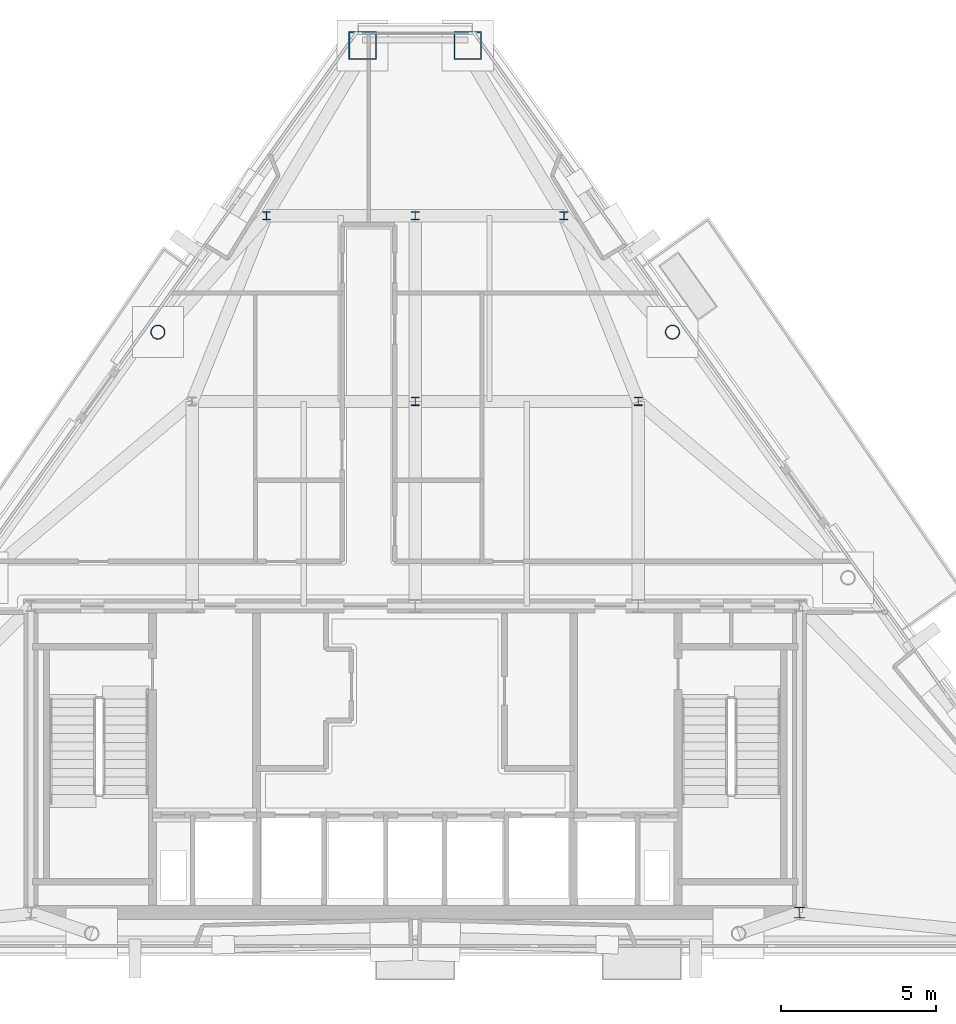
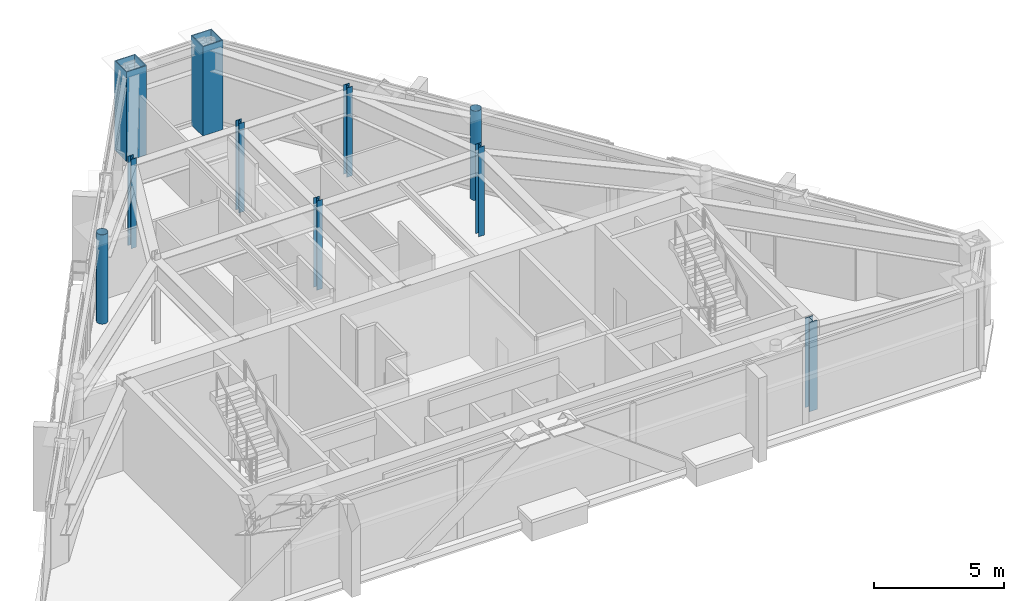
# One storey, part 2 of 10: 10 columns.
"""IFC4 building model written with IfcOpenShell, lengths in metres."""

from ifc_helpers import new_model, si_unit, direction, frame, origin, origin_2d, place, context, subcontext, project, spatial, hollow_rectangle, hollow_circle, i_section, extrude, material, material_profile, profile_set, type_object, element, save


model = new_model("IFC4")

# Units and contexts
model_context = context("Model", 3, precision=1e-05, world=origin(), true_north=direction((0.0, 1.0)))
body_context = subcontext(model_context, "Body", "Model", "MODEL_VIEW")
ifc_project = project(units=[si_unit("LENGTHUNIT", "METRE"), si_unit("AREAUNIT", "SQUARE_METRE"), si_unit("VOLUMEUNIT", "CUBIC_METRE"), si_unit("PLANEANGLEUNIT", "RADIAN"), si_unit("MASSUNIT", "GRAM", prefix="KILO")], contexts=[model_context])

# Site, building, storey
site_placement = place(None, origin())
site = spatial("IfcSite", under=ifc_project, at=site_placement, CompositionType="ELEMENT")
building_placement = place(site_placement, origin())
building = spatial("IfcBuilding", under=site, at=building_placement, Name="Talgorran Terracotta Tower", CompositionType="ELEMENT")
storey_placement = place(building_placement, frame((0.0, 0.0, 289.199951171875)))
storey = spatial("IfcBuildingStorey", under=building, at=storey_placement, Name="L76", CompositionType="ELEMENT", Elevation=289.199951171875)

# Columns
ifc_material_1 = material(Name="Steel S355 (300PLUS)", Category="steel")
ifc_material_profile_1 = material_profile(ifc_material_1, i_section(OverallWidth=0.256103515625, OverallDepth=0.260009765625, WebThickness=0.010498046875, FlangeThickness=0.017333984375, at=origin_2d()), Name="250UC89.5")
ifc_profile_set_1 = profile_set([ifc_material_profile_1], Name="Steel S355 (300PLUS)")
column_type_1 = type_object("IfcColumnType", Name="COL_250UC89", PredefinedType="COLUMN", material=ifc_profile_set_1)
for number, where, z_axis, x_axis, name in (
    (1, (0.0, 2.39990234375, 0.0), (0.0, 0.0, 1.0), (1.0, 0.0, 0.0), "L76 Interior Gravity Column IC2"),
    (2, (7.199951171875, 2.39990234375, 0.0), (0.0, 0.0, 1.0), (1.0, 0.0, 0.0), "L76 Interior Gravity Column IC3"),
    (3, (-4.800048828125, 8.39990234375, 0.0), (0.0, 0.0, 1.0), (1.0, 0.0, 0.0), "L76 Interior Gravity Column IC4"),
    (4, (0.0, 8.39990234375, 0.0), (0.0, 0.0, 1.0), (1.0, 0.0, 0.0), "L76 Interior Gravity Column IC5"),
    (5, (4.800048828125, 8.39990234375, 0.0), (0.0, 0.0, 1.0), (1.0, 0.0, 0.0), "L76 Interior Gravity Column IC6"),
):
    element("IfcColumn", number, at=place(storey_placement, frame(where, z_axis=z_axis, x_axis=x_axis)), inside=storey, type_object=column_type_1, Name=name, PredefinedType="COLUMN", context=body_context, shape_type="SweptSolid", body=[
        extrude(i_section(OverallWidth=0.256103515625, OverallDepth=0.260009765625, WebThickness=0.010498046875, FlangeThickness=0.017333984375, at=origin_2d()), origin(), (0.0, 0.0, 1.0), 4.199951171875),
    ])
ifc_material_profile_2 = material_profile(ifc_material_1, i_section(OverallWidth=0.35205078125, OverallDepth=0.35888671875, WebThickness=0.01806640625, FlangeThickness=0.02587890625, at=origin_2d()), Name="350WC197")
ifc_profile_set_2 = profile_set([ifc_material_profile_2], Name="Steel S355 (300PLUS)")
column_type_2 = type_object("IfcColumnType", Name="COL_350WC197", PredefinedType="COLUMN", material=ifc_profile_set_2)
column_placement = place(storey_placement, frame((12.39990234375, -14.10009765625, 0.0), z_axis=(0.0, 0.0, 1.0), x_axis=(1.0, 0.0, 0.0)))
element("IfcColumn", 6, at=column_placement, inside=storey, type_object=column_type_2, Name="L76 Core Boundary Column CC2", PredefinedType="COLUMN", context=body_context, shape_type="SweptSolid", body=[
    extrude(i_section(OverallWidth=0.35205078125, OverallDepth=0.35888671875, WebThickness=0.01806640625, FlangeThickness=0.02587890625, at=origin_2d()), origin(), (0.0, 0.0, 1.0), 4.199951171875),
])
ifc_material_2 = material(Name="Steel Grade 350 (350L0)", Category="steel")
ifc_material_profile_3 = material_profile(ifc_material_2, hollow_rectangle(XDim=0.89990234375, YDim=0.89990234375, WallThickness=0.0400390625, at=origin_2d()), Name="CFT900X900X40")
ifc_profile_set_3 = profile_set([ifc_material_profile_3], Name="Steel Grade 350 (350L0)")
column_type_3 = type_object("IfcColumnType", Name="COL_CFT_900", PredefinedType="COLUMN", material=ifc_profile_set_3)
for number, where, z_axis, x_axis, name in (
    (7, (1.697998046875, 13.889404296875, 0.0), (0.0, 0.0, 1.0), (1.0, 0.0, 0.0), "L76 Corner CFT Mega-Column MC5"),
    (8, (-1.697998046875, 13.889404296875, 0.0), (0.0, 0.0, 1.0), (1.0, 0.0, 0.0), "L76 Corner CFT Mega-Column MC6"),
):
    element("IfcColumn", number, at=place(storey_placement, frame(where, z_axis=z_axis, x_axis=x_axis)), inside=storey, type_object=column_type_3, Name=name, PredefinedType="COLUMN", context=body_context, shape_type="SweptSolid", body=[
        extrude(hollow_rectangle(XDim=0.89990234375, YDim=0.89990234375, WallThickness=0.0400390625, at=origin_2d()), origin(), (0.0, 0.0, 1.0), 4.199951171875),
    ])
ifc_material_3 = material(Name="Steel S350 (C350L0)", Category="steel")
ifc_material_profile_4 = material_profile(ifc_material_3, hollow_circle(Radius=0.228515625, WallThickness=0.01611328125, at=origin_2d()), Name="CHS457X16")
ifc_profile_set_4 = profile_set([ifc_material_profile_4], Name="Steel S350 (C350L0)")
column_type_4 = type_object("IfcColumnType", Name="COL_CHS_457", PredefinedType="COLUMN", material=ifc_profile_set_4)
for number, where, z_axis, x_axis, name in (
    (9, (8.30615234375, 4.63818359375, 0.0), (0.0, 0.0, 1.0), (1.0, 0.0, 0.0), "L76 Facet Perimeter Column FC4"),
    (10, (-8.30615234375, 4.63818359375, 0.0), (0.0, 0.0, 1.0), (1.0, 0.0, 0.0), "L76 Facet Perimeter Column FC5"),
):
    element("IfcColumn", number, at=place(storey_placement, frame(where, z_axis=z_axis, x_axis=x_axis)), inside=storey, type_object=column_type_4, Name=name, PredefinedType="COLUMN", context=body_context, shape_type="SweptSolid", body=[
        extrude(hollow_circle(Radius=0.228515625, WallThickness=0.01611328125, at=origin_2d()), origin(), (0.0, 0.0, 1.0), 4.199951171875),
    ])

save(model, "model.ifc")
